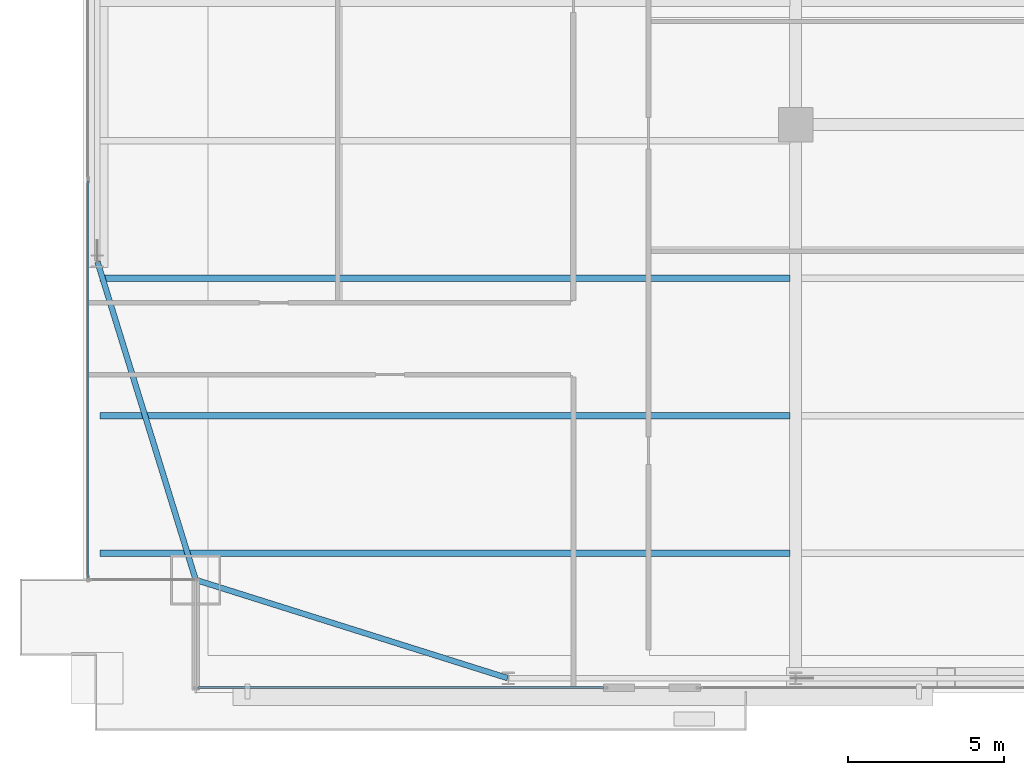
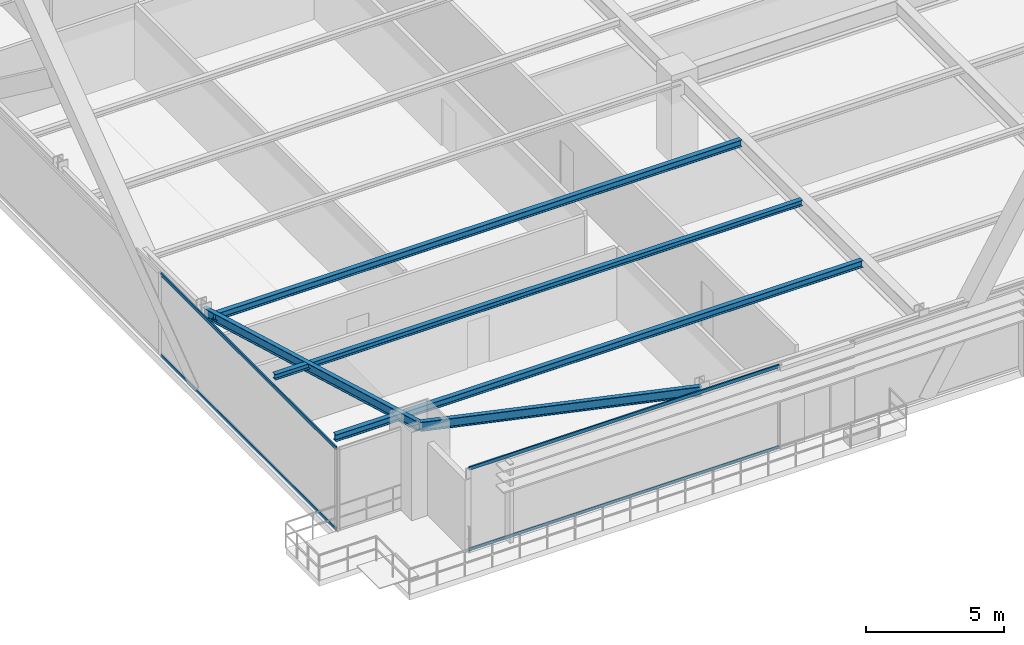
# One storey, part 4 of 34: 5 beams, 4 members, 2 elements without a shape of their own.
"""IFC4 building model written with IfcOpenShell, lengths in metres."""

import ifcopenshell
import ifcopenshell.guid

model = None  # the IFC model being written
_history = None  # IfcOwnerHistory: only IFC2X3 demands one
_inside = {}  # id of a spatial element -> (the spatial element, [elements in it])
_under = {}  # id of a project, library or spatial element -> (it, [spatial elements below it])
_declared = {}  # id of a project -> (the project, [libraries it declares])
_typed = {}  # id of a type object -> (the type object, [elements of that type])
_made_of = {}  # id of a material, layer set ... -> (it, [elements and type objects made of it])


def new_model(schema):
    """Start an empty IFC model of exactly this schema.

    Asked for "IFC4X3", IfcOpenShell would pick the latest addendum, in which some entities
    have other attributes; the version numbers below select the first issue.
    IFC2X3 requires an IfcOwnerHistory on every rooted entity: one is made here for all.
    """
    global model, _history
    if schema == "IFC4X3":
        model = ifcopenshell.file(schema_version=(4, 3, 0, 0))
    else:
        model = ifcopenshell.file(schema=schema)
    _inside.clear()
    _under.clear()
    _declared.clear()
    _typed.clear()
    _made_of.clear()
    _history = None
    if model.schema == "IFC2X3":
        org = make("IfcOrganization", Name="unknown")
        user = make(
            "IfcPersonAndOrganization",
            ThePerson=make("IfcPerson", FamilyName="unknown"),
            TheOrganization=org,
        )
        app = make(
            "IfcApplication",
            ApplicationDeveloper=org,
            Version="unknown",
            ApplicationFullName="unknown",
            ApplicationIdentifier="unknown",
        )
        _history = make(
            "IfcOwnerHistory",
            OwningUser=user,
            OwningApplication=app,
            ChangeAction="ADDED",
            CreationDate=0,
        )
    return model


def make(cls, **values):
    """One entity of the class cls with the attributes given. An attribute that is None is left unset."""
    return model.create_entity(
        cls, **{name: value for name, value in values.items() if value is not None}
    )


def rooted(cls, **values):
    """An entity with a GlobalId (a new one), such as an element, a storey or a relation."""
    return make(cls, GlobalId=ifcopenshell.guid.new(), OwnerHistory=_history, **values)


def si_unit(unit_type, name, prefix=None):
    """IfcSIUnit, for example si_unit("LENGTHUNIT", "METRE", prefix="MILLI")."""
    return make("IfcSIUnit", UnitType=unit_type, Prefix=prefix, Name=name)


def assignment(units):
    """IfcUnitAssignment: the units of a project."""
    return None if units is None else make("IfcUnitAssignment", Units=units)


def point(xyz):
    """IfcCartesianPoint."""
    return None if xyz is None else make("IfcCartesianPoint", Coordinates=xyz)


def direction(xyz):
    """IfcDirection."""
    return None if xyz is None else make("IfcDirection", DirectionRatios=xyz)


def frame(location, z_axis=None, x_axis=None):
    """IfcAxis2Placement3D, a coordinate frame: its origin and axes. An axis left out is left unset."""
    return make(
        "IfcAxis2Placement3D",
        Location=point(location),
        Axis=direction(z_axis),
        RefDirection=direction(x_axis),
    )


def frame_2d(location, x_axis=None):
    """IfcAxis2Placement2D, a coordinate frame in the plane: its origin and x axis."""
    return make(
        "IfcAxis2Placement2D", Location=point(location), RefDirection=direction(x_axis)
    )


def origin():
    """The frame at (0, 0, 0) with its axes left unset."""
    return frame((0.0, 0.0, 0.0))


def origin_2d():
    """The frame at (0, 0) in the plane with its x axis left unset."""
    return frame_2d((0.0, 0.0))


def place(relative_to, where):
    """IfcLocalPlacement: puts the frame where relative to a parent placement (None: the world)."""
    return make(
        "IfcLocalPlacement", PlacementRelTo=relative_to, RelativePlacement=where
    )


def context(
    kind, dimensions, precision=None, world=None, true_north=None, identifier=None
):
    """IfcGeometricRepresentationContext, for example the 3D "Model" context."""
    return make(
        "IfcGeometricRepresentationContext",
        ContextIdentifier=identifier,
        ContextType=kind,
        CoordinateSpaceDimension=dimensions,
        Precision=precision,
        WorldCoordinateSystem=world,
        TrueNorth=true_north,
    )


def subcontext(parent, identifier, kind, view, scale=None):
    """IfcGeometricRepresentationSubContext, for example "Body" below "Model"."""
    return make(
        "IfcGeometricRepresentationSubContext",
        ContextIdentifier=identifier,
        ContextType=kind,
        ParentContext=parent,
        TargetScale=scale,
        TargetView=view,
    )


def project(units=None, contexts=None):
    """IfcProject with its units and contexts."""
    return rooted(
        "IfcProject",
        Name="project",
        RepresentationContexts=contexts,
        UnitsInContext=assignment(units),
    )


def spatial(cls, under=None, at=None, **own):
    """A site, building, storey or space (cls), placed at a placement, below another one or the project."""
    s = rooted(cls, ObjectPlacement=at, **own)
    if under is not None:
        _under.setdefault(under.id(), (under, []))[1].append(s)
    return s


def profile(cls, at=None, kind="AREA", **sizes):
    """A parametric profile (cls). Its sizes go by their IFC names, for example OverallWidth=200.0."""
    return make(cls, ProfileType=kind, Position=at, **sizes)


def hollow_rectangle(**sizes):
    """IfcRectangleHollowProfileDef."""
    return profile("IfcRectangleHollowProfileDef", **sizes)


def i_section(**sizes):
    """IfcIShapeProfileDef."""
    return profile("IfcIShapeProfileDef", **sizes)


def extrude(swept, where, along, depth):
    """IfcExtrudedAreaSolid: the profile swept, set in the frame where, extruded along a direction by depth."""
    return make(
        "IfcExtrudedAreaSolid",
        SweptArea=swept,
        Position=where,
        ExtrudedDirection=direction(along),
        Depth=depth,
    )


def shape(context_of_items, identifier, shape_type, items):
    """IfcShapeRepresentation: the items that make up one representation, for example the "Body"."""
    return make(
        "IfcShapeRepresentation",
        ContextOfItems=context_of_items,
        RepresentationIdentifier=identifier,
        RepresentationType=shape_type,
        Items=items,
    )


def source(mapping_origin, context_of_items, identifier, shape_type, items):
    """IfcRepresentationMap: a shape defined once, which mapped items show again and again."""
    return make(
        "IfcRepresentationMap",
        MappingOrigin=mapping_origin,
        MappedRepresentation=shape(context_of_items, identifier, shape_type, items),
    )


def transform(
    local_origin,
    x_axis=None,
    y_axis=None,
    z_axis=None,
    scale=None,
    scale2=None,
    scale3=None,
    uniform=True,
):
    """IfcCartesianTransformationOperator3D, or its non-uniform kind. x_axis, y_axis, z_axis: its Axis1, 2, 3."""
    if uniform:
        return make(
            "IfcCartesianTransformationOperator3D",
            Axis1=direction(x_axis),
            Axis2=direction(y_axis),
            LocalOrigin=point(local_origin),
            Scale=scale,
            Axis3=direction(z_axis),
        )
    return make(
        "IfcCartesianTransformationOperator3DnonUniform",
        Axis1=direction(x_axis),
        Axis2=direction(y_axis),
        LocalOrigin=point(local_origin),
        Scale=scale,
        Axis3=direction(z_axis),
        Scale2=scale2,
        Scale3=scale3,
    )


def mapped(mapping_source, mapping_target):
    """IfcMappedItem: shows the shape of a source again, moved by a transform."""
    return make(
        "IfcMappedItem", MappingSource=mapping_source, MappingTarget=mapping_target
    )


def material(Name=None, Category=None):
    """IfcMaterial."""
    return make("IfcMaterial", Name=Name, Category=Category)


def layer(
    of_material, thickness, ventilated=None, Name=None, Category=None, Priority=None
):
    """IfcMaterialLayer: one layer of a wall or slab, of a material (None: an air gap)."""
    return make(
        "IfcMaterialLayer",
        Material=of_material,
        LayerThickness=thickness,
        IsVentilated=ventilated,
        Name=Name,
        Category=Category,
        Priority=Priority,
    )


def layer_set(layers, Name=None):
    """IfcMaterialLayerSet."""
    return make("IfcMaterialLayerSet", MaterialLayers=layers, LayerSetName=Name)


def material_profile(
    of_material, cross_section, Name=None, Category=None, Priority=None
):
    """IfcMaterialProfile: a cross section and its material."""
    return make(
        "IfcMaterialProfile",
        Name=Name,
        Material=of_material,
        Profile=cross_section,
        Priority=Priority,
        Category=Category,
    )


def profile_set(profiles, Name=None, composite=None):
    """IfcMaterialProfileSet."""
    return make(
        "IfcMaterialProfileSet",
        Name=Name,
        MaterialProfiles=profiles,
        CompositeProfile=composite,
    )


def made_of(thing, what):
    """Note that an element or type object is made of a material, layer set ...; save() writes the relation."""
    if what is not None:
        _made_of.setdefault(what.id(), (what, []))[1].append(thing)
    return thing


def type_object(cls, material=None, **own):
    """A type object (cls), such as IfcWallType, which elements share."""
    return made_of(rooted(cls, **own), material)


def type_shapes(of_type, sources):
    """Give a type object the sources (RepresentationMaps) that its elements show as mapped items."""
    of_type.RepresentationMaps = sources


def element(
    cls,
    number,
    at=None,
    inside=None,
    cuts=None,
    type_object=None,
    material=None,
    context=None,
    identifier="Body",
    shape_type=None,
    held_by="IfcProductDefinitionShape",
    body=None,
    shapes=None,
    **own,
):
    """One element of the class cls, such as IfcWall. Its Tag is "e" and its number.

    at: its placement. inside: the storey or other place that contains it. cuts: it is an
    opening in that element (IfcRelVoidsElement). A single representation is given by context,
    identifier, shape_type and body (its items); several are given by shapes. held_by: the class
    of the entity that holds the representations. save() writes the other relations.
    """
    e = rooted(cls, Tag="e%d" % number, ObjectPlacement=at, **own)
    if body is not None:
        shapes = [shape(context, identifier, shape_type, body)]
    if shapes is not None:
        e.Representation = make(held_by, Representations=shapes)
    if inside is not None:
        _inside.setdefault(inside.id(), (inside, []))[1].append(e)
    if cuts is not None:
        rooted(
            "IfcRelVoidsElement", RelatingBuildingElement=cuts, RelatedOpeningElement=e
        )
    if type_object is not None:
        _typed.setdefault(type_object.id(), (type_object, []))[1].append(e)
    return made_of(e, material)


def aggregate(whole, parts):
    """IfcRelAggregates: a whole, such as a stair, and the parts it consists of."""
    return rooted("IfcRelAggregates", RelatingObject=whole, RelatedObjects=parts)


def save(model, path):
    """Write the relations noted so far, then the file.

    IfcRelAggregates (storeys below a building ...), IfcRelContainedInSpatialStructure (elements
    in a storey), IfcRelDefinesByType, IfcRelAssociatesMaterial and IfcRelDeclares: one each for
    every whole, place, type object, material and project.
    """
    for whole, parts in _under.values():
        aggregate(whole, parts)
    for where, things in _inside.values():
        rooted(
            "IfcRelContainedInSpatialStructure",
            RelatedElements=things,
            RelatingStructure=where,
        )
    for kind, things in _typed.values():
        rooted("IfcRelDefinesByType", RelatedObjects=things, RelatingType=kind)
    for what, things in _made_of.values():
        rooted("IfcRelAssociatesMaterial", RelatedObjects=things, RelatingMaterial=what)
    for by, libraries in _declared.values():
        rooted("IfcRelDeclares", RelatingContext=by, RelatedDefinitions=libraries)
    model.write(path)


model = new_model("IFC4")

# Units and contexts
model_context = context("Model", 3, precision=1e-05, world=origin(), true_north=direction((0.0, 1.0)))
body_context = subcontext(model_context, "Body", "Model", "MODEL_VIEW")
ifc_project = project(units=[si_unit("LENGTHUNIT", "METRE"), si_unit("AREAUNIT", "SQUARE_METRE"), si_unit("VOLUMEUNIT", "CUBIC_METRE"), si_unit("PLANEANGLEUNIT", "RADIAN"), si_unit("MASSUNIT", "GRAM", prefix="KILO")], contexts=[model_context])

# Site, building, storey
site_placement = place(None, origin())
site = spatial("IfcSite", under=ifc_project, at=site_placement, CompositionType="ELEMENT")
building_placement = place(site_placement, origin())
building = spatial("IfcBuilding", under=site, at=building_placement, Name="Varnel Quay Broadcast Tower", CompositionType="ELEMENT")
storey_placement = place(building_placement, frame((0.0, 0.0, 27.60009765625)))
storey = spatial("IfcBuildingStorey", under=building, at=storey_placement, Name="L05", CompositionType="ELEMENT", Elevation=27.60009765625)

# Beams
ifc_material_1 = material(Name="Structural Steel CSA G40.21 350W", Category="steel")
ifc_material_profile_1 = material_profile(ifc_material_1, i_section(OverallWidth=0.180908203125, OverallDepth=0.4169921875, WebThickness=0.010986328125, FlangeThickness=0.018310546875, FilletRadius=0.011962890625, at=origin_2d()), Name="W410X85")
ifc_profile_set_1 = profile_set([ifc_material_profile_1], Name="Structural Steel CSA G40.21 350W")
beam_type_1 = type_object("IfcBeamType", Name="Beam_W410X85", PredefinedType="SPANDREL", material=ifc_profile_set_1)
shared_shape_1 = source(origin(), body_context, "Body", "SweptSolid", [
    extrude(i_section(OverallWidth=0.180908203125, OverallDepth=0.4169921875, WebThickness=0.010986328125, FlangeThickness=0.018310546875, FilletRadius=0.011962890625, at=origin_2d()), origin(), (0.0, 0.0, 1.0), 10.444091796875),
])
beam_1_placement = place(storey_placement, frame((5.619140625, 4.7939453125, 3.44140625), z_axis=(0.953798277271, -0.300447743003, 0.0), x_axis=(0.300447743003, 0.953798277271, 0.0)))
element("IfcBeam", 1, at=beam_1_placement, inside=storey, type_object=beam_type_1, Name="L05 South Spandrel MC-SW-TC-S1", PredefinedType="SPANDREL", context=body_context, shape_type="MappedRepresentation", body=[
    mapped(shared_shape_1, transform((0.0, 0.0, 0.0), x_axis=(1.0, 0.0, 0.0), y_axis=(0.0, 1.0, 0.0), z_axis=(0.0, 0.0, 1.0), scale=1.0)),
])
shared_shape_2 = source(origin(), body_context, "Body", "SweptSolid", [
    extrude(i_section(OverallWidth=0.180908203125, OverallDepth=0.4169921875, WebThickness=0.010986328125, FlangeThickness=0.018310546875, FilletRadius=0.011962890625, at=origin_2d()), origin(), (0.0, 0.0, 1.0), 10.635498046875),
])
type_shapes(beam_type_1, [shared_shape_1, shared_shape_2])
beam_2_placement = place(storey_placement, frame((5.593994140625, 4.819091796875, 3.44140625), z_axis=(-0.295069676324, 0.955475738108, 0.0), x_axis=(-0.955475738108, -0.295069676324, 0.0)))
element("IfcBeam", 2, at=beam_2_placement, inside=storey, type_object=beam_type_1, Name="L05 West Spandrel MC-SW-TC-W1", PredefinedType="SPANDREL", context=body_context, shape_type="MappedRepresentation", body=[
    mapped(shared_shape_2, transform((0.0, 0.0, 0.0), x_axis=(1.0, 0.0, 0.0), y_axis=(0.0, 1.0, 0.0), z_axis=(0.0, 0.0, 1.0), scale=1.0)),
])
ifc_material_profile_2 = material_profile(ifc_material_1, i_section(OverallWidth=0.202880859375, OverallDepth=0.302978515625, WebThickness=0.007568359375, FlangeThickness=0.01318359375, FilletRadius=0.011962890625, at=origin_2d()), Name="W310X60")
ifc_profile_set_2 = profile_set([ifc_material_profile_2], Name="Structural Steel CSA G40.21 350W")
beam_type_2 = type_object("IfcBeamType", Name="Beam_W310X60", PredefinedType="JOIST", material=ifc_profile_set_2)
shared_shape_3 = source(origin(), body_context, "Body", "SweptSolid", [
    extrude(i_section(OverallWidth=0.202880859375, OverallDepth=0.302978515625, WebThickness=0.007568359375, FlangeThickness=0.01318359375, FilletRadius=0.011962890625, at=origin_2d()), origin(), (0.0, 0.0, 1.0), 22.0791015625),
])
type_shapes(beam_type_2, [shared_shape_3])
for number, where, z_axis, x_axis, name in (
    (3, (2.535400390625, 5.64990234375, 3.498291015625), (1.0, 0.0, 0.0), (0.0, 1.0, 0.0), "L05 West Floor Joist 1"),
    (4, (2.535400390625, 14.449951171875, 3.498291015625), (1.0, 0.0, 0.0), (0.0, 1.0, 0.0), "L05 West Floor Joist 3"),
):
    element("IfcBeam", number, at=place(storey_placement, frame(where, z_axis=z_axis, x_axis=x_axis)), inside=storey, type_object=beam_type_2, Name=name, PredefinedType="JOIST", context=body_context, shape_type="MappedRepresentation", body=[
        mapped(shared_shape_3, transform((0.0, 0.0, 0.0), x_axis=(1.0, 0.0, 0.0), y_axis=(0.0, 1.0, 0.0), z_axis=(0.0, 0.0, 1.0), scale=1.0)),
    ])
ifc_material_profile_3 = material_profile(ifc_material_1, i_section(OverallWidth=0.201904296875, OverallDepth=0.2470703125, WebThickness=0.00732421875, FlangeThickness=0.010986328125, FilletRadius=0.010986328125, at=origin_2d()), Name="W250X49")
ifc_profile_set_3 = profile_set([ifc_material_profile_3], Name="Structural Steel CSA G40.21 350W")
beam_type_3 = type_object("IfcBeamType", Name="Beam_W250X49", PredefinedType="JOIST", material=ifc_profile_set_3)
shared_shape_4 = source(origin(), body_context, "Body", "SweptSolid", [
    extrude(i_section(OverallWidth=0.201904296875, OverallDepth=0.2470703125, WebThickness=0.00732421875, FlangeThickness=0.010986328125, FilletRadius=0.010986328125, at=origin_2d()), origin(), (0.0, 0.0, 1.0), 22.0791015625),
])
type_shapes(beam_type_3, [shared_shape_4])
beam_3_placement = place(storey_placement, frame((2.535400390625, 10.050048828125, 3.5263671875), z_axis=(1.0, 0.0, 0.0), x_axis=(0.0, 1.0, 0.0)))
element("IfcBeam", 5, at=beam_3_placement, inside=storey, type_object=beam_type_3, Name="L05 West Floor Joist 2", PredefinedType="JOIST", context=body_context, shape_type="MappedRepresentation", body=[
    mapped(shared_shape_4, transform((0.0, 0.0, 0.0), x_axis=(1.0, 0.0, 0.0), y_axis=(0.0, 1.0, 0.0), z_axis=(0.0, 0.0, 1.0), scale=1.0)),
])

# Curtain wall, members
ifc_material_2 = material(Name="Anodised Bronze Aluminium 6063-T6", Category="aluminium")
ifc_layer = layer(ifc_material_2, 0.18994140625, Name="Anodised Bronze Aluminium 6063-T6")
ifc_layer_set = layer_set([ifc_layer], Name="Anodised Bronze Aluminium 6063-T6")
curtain_wall_type = type_object("IfcCurtainWallType", Name="CW_LowerTower", PredefinedType="NOTDEFINED", material=ifc_layer_set)
curtain_wall_1_placement = place(storey_placement, origin())
curtain_wall_1 = element("IfcCurtainWall", 6, at=curtain_wall_1_placement, inside=storey, type_object=curtain_wall_type, Name="L05 South Unitised Curtain Wall 1", PredefinedType="NOTDEFINED")
ifc_material_profile_4 = material_profile(ifc_material_2, hollow_rectangle(XDim=0.06005859375, YDim=0.14501953125, WallThickness=0.00341796875, at=origin_2d()), Name="ALU60X145X3.5")
ifc_profile_set_4 = profile_set([ifc_material_profile_4], Name="Anodised Bronze Aluminium 6063-T6")
member_type = type_object("IfcMemberType", Name="Tran_CWS-02", PredefinedType="USERDEFINED", material=ifc_profile_set_4)
shared_shape_5 = source(origin(), body_context, "Body", "SweptSolid", [
    extrude(hollow_rectangle(XDim=0.06005859375, YDim=0.14501953125, WallThickness=0.00341796875, at=origin_2d()), origin(), (0.0, 0.0, 1.0), 12.97998046875),
])
member_1_placement = place(storey_placement, frame((5.669921875, 1.35009765625, 0.02978515625), z_axis=(1.0, 0.0, 0.0), x_axis=(0.0, 1.0, 0.0)))
member_1 = element("IfcMember", 7, at=member_1_placement, type_object=member_type, Name="CWS-02 transom 1.1", ObjectType="TRANSOM", PredefinedType="USERDEFINED", context=body_context, shape_type="MappedRepresentation", body=[
    mapped(shared_shape_5, transform((0.0, 0.0, 0.0), x_axis=(1.0, 0.0, 0.0), y_axis=(0.0, 1.0, 0.0), z_axis=(0.0, 0.0, 1.0), scale=1.0)),
])
member_2_placement = place(storey_placement, frame((5.669921875, 1.35009765625, 3.619873046875), z_axis=(1.0, 0.0, 0.0), x_axis=(0.0, 1.0, 0.0)))
member_2 = element("IfcMember", 8, at=member_2_placement, type_object=member_type, Name="CWS-02 transom 1.2", ObjectType="TRANSOM", PredefinedType="USERDEFINED", context=body_context, shape_type="MappedRepresentation", body=[
    mapped(shared_shape_5, transform((0.0, 0.0, 0.0), x_axis=(1.0, 0.0, 0.0), y_axis=(0.0, 1.0, 0.0), z_axis=(0.0, 0.0, 1.0), scale=1.0)),
])
aggregate(curtain_wall_1, [member_1, member_2])

curtain_wall_2_placement = place(storey_placement, origin())
curtain_wall_2 = element("IfcCurtainWall", 9, at=curtain_wall_2_placement, inside=storey, type_object=curtain_wall_type, Name="L05 West Unitised Curtain Wall", PredefinedType="NOTDEFINED")
shared_shape_6 = source(origin(), body_context, "Body", "SweptSolid", [
    extrude(hollow_rectangle(XDim=0.06005859375, YDim=0.14501953125, WallThickness=0.00341796875, at=origin_2d()), origin(), (0.0, 0.0, 1.0), 12.69482421875),
])
type_shapes(member_type, [shared_shape_5, shared_shape_6])
member_3_placement = place(storey_placement, frame((2.14990234375, 4.8701171875, 0.02978515625), z_axis=(0.0, 1.0, 0.0), x_axis=(-1.0, 0.0, 0.0)))
member_3 = element("IfcMember", 10, at=member_3_placement, type_object=member_type, Name="CWS-02 transom 1.1", ObjectType="TRANSOM", PredefinedType="USERDEFINED", context=body_context, shape_type="MappedRepresentation", body=[
    mapped(shared_shape_6, transform((0.0, 0.0, 0.0), x_axis=(1.0, 0.0, 0.0), y_axis=(0.0, 1.0, 0.0), z_axis=(0.0, 0.0, 1.0), scale=1.0)),
])
member_4_placement = place(storey_placement, frame((2.14990234375, 4.8701171875, 3.619873046875), z_axis=(0.0, 1.0, 0.0), x_axis=(-1.0, 0.0, 0.0)))
member_4 = element("IfcMember", 11, at=member_4_placement, type_object=member_type, Name="CWS-02 transom 1.2", ObjectType="TRANSOM", PredefinedType="USERDEFINED", context=body_context, shape_type="MappedRepresentation", body=[
    mapped(shared_shape_6, transform((0.0, 0.0, 0.0), x_axis=(1.0, 0.0, 0.0), y_axis=(0.0, 1.0, 0.0), z_axis=(0.0, 0.0, 1.0), scale=1.0)),
])
aggregate(curtain_wall_2, [member_3, member_4])

save(model, "model.ifc")
